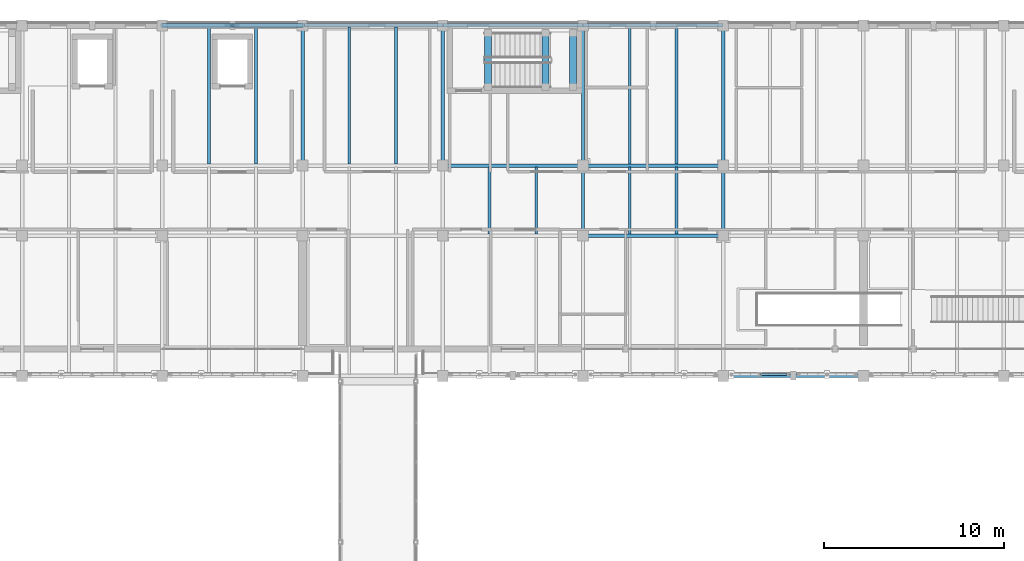
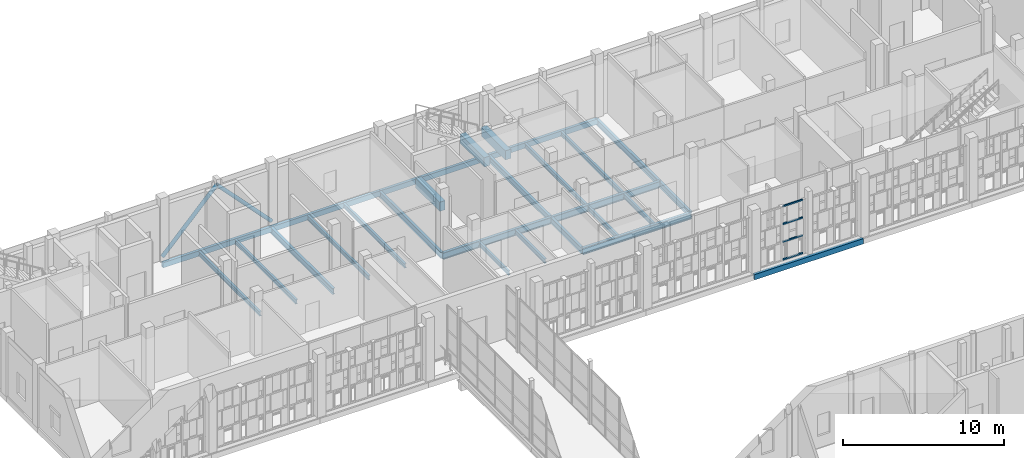
# One storey, part 57 of 138: 27 beams, 6 members.
"""IFC4 building model written with IfcOpenShell, lengths in metres."""

from ifc_helpers import new_model, si_unit, direction, frame, origin, origin_2d, place, context, subcontext, project, spatial, rectangle, hollow_rectangle, hollow_circle, i_section, extrude, material, material_profile, profile_set, type_object, element, save


model = new_model("IFC4")

# Units and contexts
model_context = context("Model", 3, precision=1e-05, world=origin(), true_north=direction((0.0, 1.0)))
body_context = subcontext(model_context, "Body", "Model", "MODEL_VIEW")
ifc_project = project(units=[si_unit("LENGTHUNIT", "METRE"), si_unit("AREAUNIT", "SQUARE_METRE"), si_unit("VOLUMEUNIT", "CUBIC_METRE"), si_unit("PLANEANGLEUNIT", "RADIAN"), si_unit("MASSUNIT", "GRAM", prefix="KILO")], contexts=[model_context])

# Site, building, storey
site_placement = place(None, origin())
site = spatial("IfcSite", under=ifc_project, at=site_placement, CompositionType="ELEMENT")
building_placement = place(site_placement, origin())
building = spatial("IfcBuilding", under=site, at=building_placement, Name="Celorna Specialist Clinic", CompositionType="ELEMENT")
storey_placement = place(building_placement, frame((0.0, 0.0, 4.800048828125)))
storey = spatial("IfcBuildingStorey", under=building, at=storey_placement, Name="L01", CompositionType="ELEMENT", Elevation=4.800048828125)

# Beams
ifc_material_1 = material(Name="Steel S355", Category="steel")
ifc_material_profile_1 = material_profile(ifc_material_1, i_section(OverallWidth=0.199951171875, OverallDepth=0.5, WebThickness=0.01025390625, FlangeThickness=0.01611328125, at=origin_2d()), Name="IPE 500")
ifc_profile_set_1 = profile_set([ifc_material_profile_1], Name="Steel S355")
beam_type_1 = type_object("IfcBeamType", Name="BM-08", PredefinedType="BEAM", material=ifc_profile_set_1)
for number, where, z_axis, x_axis, name in (
    (1, (85.800048828125, 104.300048828125, -0.510009765625), (1.0, 0.0, 0.0), (0.0, 1.0, 0.0), "Primary girder BM-08 #890"),
    (2, (78.0, 108.199951171875, -0.510009765625), (1.0, 0.0, 0.0), (0.0, 1.0, 0.0), "Primary girder BM-08 #905"),
    (3, (85.800048828125, 108.199951171875, -0.510009765625), (1.0, 0.0, 0.0), (0.0, 1.0, 0.0), "Primary girder BM-08 #906"),
):
    element("IfcBeam", number, at=place(storey_placement, frame(where, z_axis=z_axis, x_axis=x_axis)), inside=storey, type_object=beam_type_1, Name=name, PredefinedType="BEAM", context=body_context, shape_type="SweptSolid", body=[
        extrude(i_section(OverallWidth=0.199951171875, OverallDepth=0.5, WebThickness=0.01025390625, FlangeThickness=0.01611328125, at=origin_2d()), origin(), (0.0, 0.0, 1.0), 7.800048828125),
    ])
ifc_material_profile_2 = material_profile(ifc_material_1, i_section(OverallWidth=0.18994140625, OverallDepth=0.449951171875, WebThickness=0.009521484375, FlangeThickness=0.0146484375, at=origin_2d()), Name="IPE 450")
ifc_profile_set_2 = profile_set([ifc_material_profile_2], Name="Steel S355")
beam_type_2 = type_object("IfcBeamType", Name="BM-09", PredefinedType="BEAM", material=ifc_profile_set_2)
for number, where, z_axis, x_axis, name in (
    (4, (70.199951171875, 108.199951171875, -0.485107421875), (0.0, 1.0, 0.0), (-1.0, 0.0, 0.0), "Transverse girder BM-09 #944"),
    (5, (78.0, 108.199951171875, -0.485107421875), (0.0, 1.0, 0.0), (-1.0, 0.0, 0.0), "Transverse girder BM-09 #947"),
):
    element("IfcBeam", number, at=place(storey_placement, frame(where, z_axis=z_axis, x_axis=x_axis)), inside=storey, type_object=beam_type_2, Name=name, PredefinedType="BEAM", context=body_context, shape_type="SweptSolid", body=[
        extrude(i_section(OverallWidth=0.18994140625, OverallDepth=0.449951171875, WebThickness=0.009521484375, FlangeThickness=0.0146484375, at=origin_2d()), origin(), (0.0, 0.0, 1.0), 7.800048828125),
    ])
beam_1_placement = place(storey_placement, frame((85.800048828125, 104.300048828125, -0.485107421875), z_axis=(0.0, 1.0, 0.0), x_axis=(-1.0, 0.0, 0.0)))
element("IfcBeam", 6, at=beam_1_placement, inside=storey, type_object=beam_type_2, Name="Transverse girder BM-09 #949", PredefinedType="BEAM", context=body_context, shape_type="SweptSolid", body=[
    extrude(i_section(OverallWidth=0.18994140625, OverallDepth=0.449951171875, WebThickness=0.009521484375, FlangeThickness=0.0146484375, at=origin_2d()), origin(), (0.0, 0.0, 1.0), 3.89990234375),
])
beam_2_placement = place(storey_placement, frame((85.800048828125, 108.199951171875, -0.485107421875), z_axis=(0.0, 1.0, 0.0), x_axis=(-1.0, 0.0, 0.0)))
element("IfcBeam", 7, at=beam_2_placement, inside=storey, type_object=beam_type_2, Name="Transverse girder BM-09 #950", PredefinedType="BEAM", context=body_context, shape_type="SweptSolid", body=[
    extrude(i_section(OverallWidth=0.18994140625, OverallDepth=0.449951171875, WebThickness=0.009521484375, FlangeThickness=0.0146484375, at=origin_2d()), origin(), (0.0, 0.0, 1.0), 7.800048828125),
])
beam_3_placement = place(storey_placement, frame((93.60009765625, 104.300048828125, -0.485107421875), z_axis=(0.0, 1.0, 0.0), x_axis=(-1.0, 0.0, 0.0)))
element("IfcBeam", 8, at=beam_3_placement, inside=storey, type_object=beam_type_2, Name="Transverse girder BM-09 #952", PredefinedType="BEAM", context=body_context, shape_type="SweptSolid", body=[
    extrude(i_section(OverallWidth=0.18994140625, OverallDepth=0.449951171875, WebThickness=0.009521484375, FlangeThickness=0.0146484375, at=origin_2d()), origin(), (0.0, 0.0, 1.0), 3.89990234375),
])
beam_4_placement = place(storey_placement, frame((93.60009765625, 108.199951171875, -0.485107421875), z_axis=(0.0, 1.0, 0.0), x_axis=(-1.0, 0.0, 0.0)))
element("IfcBeam", 9, at=beam_4_placement, inside=storey, type_object=beam_type_2, Name="Transverse girder BM-09 #953", PredefinedType="BEAM", context=body_context, shape_type="SweptSolid", body=[
    extrude(i_section(OverallWidth=0.18994140625, OverallDepth=0.449951171875, WebThickness=0.009521484375, FlangeThickness=0.0146484375, at=origin_2d()), origin(), (0.0, 0.0, 1.0), 7.800048828125),
])
ifc_material_profile_3 = material_profile(ifc_material_1, i_section(OverallWidth=0.159912109375, OverallDepth=0.330078125, WebThickness=0.007568359375, FlangeThickness=0.011474609375, at=origin_2d()), Name="IPE 330")
ifc_profile_set_3 = profile_set([ifc_material_profile_3], Name="Steel S355")
beam_type_3 = type_object("IfcBeamType", Name="BM-12", PredefinedType="JOIST", material=ifc_profile_set_3)
for number, where, z_axis, x_axis, name in (
    (10, (65.0, 108.2880859375, -0.425048828125), (0.0, 1.0, 0.0), (-1.0, 0.0, 0.0), "Secondary floor joist BM-12 #997"),
    (11, (67.60009765625, 108.2880859375, -0.425048828125), (0.0, 1.0, 0.0), (-1.0, 0.0, 0.0), "Secondary floor joist BM-12 #998"),
    (12, (72.800048828125, 108.2880859375, -0.425048828125), (0.0, 1.0, 0.0), (-1.0, 0.0, 0.0), "Secondary floor joist BM-12 #1003"),
    (13, (75.39990234375, 108.2880859375, -0.425048828125), (0.0, 1.0, 0.0), (-1.0, 0.0, 0.0), "Secondary floor joist BM-12 #1004"),
):
    element("IfcBeam", number, at=place(storey_placement, frame(where, z_axis=z_axis, x_axis=x_axis)), inside=storey, type_object=beam_type_3, Name=name, PredefinedType="JOIST", context=body_context, shape_type="SweptSolid", body=[
        extrude(i_section(OverallWidth=0.159912109375, OverallDepth=0.330078125, WebThickness=0.007568359375, FlangeThickness=0.011474609375, at=origin_2d()), origin(), (0.0, 0.0, 1.0), 7.6240234375),
    ])
for number, where, z_axis, x_axis, name in (
    (14, (80.60009765625, 104.387939453125, -0.425048828125), (0.0, 1.0, 0.0), (-1.0, 0.0, 0.0), "Secondary floor joist BM-12 #1007"),
    (15, (83.199951171875, 104.387939453125, -0.425048828125), (0.0, 1.0, 0.0), (-1.0, 0.0, 0.0), "Secondary floor joist BM-12 #1008"),
    (16, (88.39990234375, 104.387939453125, -0.425048828125), (0.0, 1.0, 0.0), (-1.0, 0.0, 0.0), "Secondary floor joist BM-12 #1011"),
    (17, (91.0, 104.387939453125, -0.425048828125), (0.0, 1.0, 0.0), (-1.0, 0.0, 0.0), "Secondary floor joist BM-12 #1012"),
):
    element("IfcBeam", number, at=place(storey_placement, frame(where, z_axis=z_axis, x_axis=x_axis)), inside=storey, type_object=beam_type_3, Name=name, PredefinedType="JOIST", context=body_context, shape_type="SweptSolid", body=[
        extrude(i_section(OverallWidth=0.159912109375, OverallDepth=0.330078125, WebThickness=0.007568359375, FlangeThickness=0.011474609375, at=origin_2d()), origin(), (0.0, 0.0, 1.0), 3.72412109375),
    ])
for number, where, z_axis, x_axis, name in (
    (18, (88.39990234375, 108.2880859375, -0.425048828125), (0.0, 1.0, 0.0), (-1.0, 0.0, 0.0), "Secondary floor joist BM-12 #1013"),
    (19, (91.0, 108.2880859375, -0.425048828125), (0.0, 1.0, 0.0), (-1.0, 0.0, 0.0), "Secondary floor joist BM-12 #1014"),
):
    element("IfcBeam", number, at=place(storey_placement, frame(where, z_axis=z_axis, x_axis=x_axis)), inside=storey, type_object=beam_type_3, Name=name, PredefinedType="JOIST", context=body_context, shape_type="SweptSolid", body=[
        extrude(i_section(OverallWidth=0.159912109375, OverallDepth=0.330078125, WebThickness=0.007568359375, FlangeThickness=0.011474609375, at=origin_2d()), origin(), (0.0, 0.0, 1.0), 7.6240234375),
    ])
ifc_material_profile_4 = material_profile(ifc_material_1, hollow_rectangle(XDim=0.199951171875, YDim=0.39990234375, WallThickness=0.011962890625, at=origin_2d()), Name="RHS 200x400x12")
ifc_profile_set_4 = profile_set([ifc_material_profile_4], Name="Steel S355")
beam_type_4 = type_object("IfcBeamType", Name="BM-15", PredefinedType="SPANDREL", material=ifc_profile_set_4)
beam_5_placement = place(storey_placement, frame((93.60009765625, 96.5, -0.4599609375), z_axis=(1.0, 0.0, 0.0), x_axis=(0.0, 1.0, 0.0)))
element("IfcBeam", 20, at=beam_5_placement, inside=storey, type_object=beam_type_4, Name="Spandrel beam BM-15 #875", PredefinedType="SPANDREL", context=body_context, shape_type="SweptSolid", body=[
    extrude(hollow_rectangle(XDim=0.199951171875, YDim=0.39990234375, WallThickness=0.011962890625, at=origin_2d()), origin(), (0.0, 0.0, 1.0), 7.7998046875),
])
for number, where, z_axis, x_axis, name in (
    (21, (62.39990234375, 116.0, -0.4599609375), (1.0, 0.0, 0.0), (0.0, 1.0, 0.0), "Spandrel beam BM-15 #919"),
    (22, (70.199951171875, 116.0, -0.4599609375), (1.0, 0.0, 0.0), (0.0, 1.0, 0.0), "Spandrel beam BM-15 #920"),
    (23, (78.0, 116.0, -0.4599609375), (1.0, 0.0, 0.0), (0.0, 1.0, 0.0), "Spandrel beam BM-15 #921"),
    (24, (85.800048828125, 116.0, -0.4599609375), (1.0, 0.0, 0.0), (0.0, 1.0, 0.0), "Spandrel beam BM-15 #922"),
):
    element("IfcBeam", number, at=place(storey_placement, frame(where, z_axis=z_axis, x_axis=x_axis)), inside=storey, type_object=beam_type_4, Name=name, PredefinedType="SPANDREL", context=body_context, shape_type="SweptSolid", body=[
        extrude(hollow_rectangle(XDim=0.199951171875, YDim=0.39990234375, WallThickness=0.011962890625, at=origin_2d()), origin(), (0.0, 0.0, 1.0), 7.800048828125),
    ])
ifc_material_2 = material(Name="Concrete C35/45", Category="concrete")
ifc_material_profile_5 = material_profile(ifc_material_2, rectangle(XDim=0.39990234375, YDim=0.699951171875, at=origin_2d()), Name="RC 400x700")
ifc_profile_set_5 = profile_set([ifc_material_profile_5], Name="Concrete C35/45")
beam_type_5 = type_object("IfcBeamType", Name="BM-19", PredefinedType="BEAM", material=ifc_profile_set_5)
for number, where, z_axis, x_axis, name in (
    (25, (80.52001953125, 112.570068359375, -0.275146484375), (0.0, 1.0, 0.0), (-1.0, 0.0, 0.0), "Stair ST-02 floor landing trimmer beam L01"),
    (26, (83.719970703125, 112.570068359375, 1.974853515625), (0.0, 1.0, 0.0), (-1.0, 0.0, 0.0), "Stair ST-02 half-landing beam L01"),
    (27, (85.239990234375, 112.570068359375, 1.974853515625), (0.0, 1.0, 0.0), (-1.0, 0.0, 0.0), "Stair ST-02 half-landing beam L01"),
):
    element("IfcBeam", number, at=place(storey_placement, frame(where, z_axis=z_axis, x_axis=x_axis)), inside=storey, type_object=beam_type_5, Name=name, PredefinedType="BEAM", context=body_context, shape_type="SweptSolid", body=[
        extrude(rectangle(XDim=0.39990234375, YDim=0.699951171875, at=origin_2d()), origin(), (0.0, 0.0, 1.0), 3.0),
    ])

# Members
ifc_material_profile_6 = material_profile(ifc_material_1, hollow_circle(Radius=0.136474609375, WallThickness=0.012451171875, at=origin_2d()), Name="CHS 273x12.5")
ifc_profile_set_6 = profile_set([ifc_material_profile_6], Name="Steel S355")
member_type_1 = type_object("IfcMemberType", Name="MB-06", PredefinedType="BRACE", material=ifc_profile_set_6)
for number, where, z_axis, x_axis, name in (
    (28, (62.39990234375, 116.0, 0.14990234375), (0.689218737868, 0.0, 0.724553332317), (0.0, 1.0, 0.0), "Lateral chevron brace WP-116-WP-117"),
    (29, (70.199951171875, 116.0, 0.14990234375), (-0.689196087446, 0.0, 0.724574877462), (0.0, -1.0, 0.0), "Lateral chevron brace WP-118-WP-117"),
):
    element("IfcMember", number, at=place(storey_placement, frame(where, z_axis=z_axis, x_axis=x_axis)), inside=storey, type_object=member_type_1, Name=name, PredefinedType="BRACE", context=body_context, shape_type="SweptSolid", body=[
        extrude(hollow_circle(Radius=0.136474609375, WallThickness=0.012451171875, at=origin_2d()), origin(), (0.0, 0.0, 1.0), 5.65869140625),
    ])
ifc_material_profile_7 = material_profile(ifc_material_1, hollow_rectangle(XDim=0.10009765625, YDim=0.10009765625, WallThickness=0.006103515625, at=origin_2d()), Name="SHS 100x100x6")
ifc_profile_set_7 = profile_set([ifc_material_profile_7], Name="Steel S355")
member_type_2 = type_object("IfcMemberType", Name="MB-12", PredefinedType="STUD", material=ifc_profile_set_7)
for number, where, z_axis, x_axis, name in (
    (30, (95.68505859375, 96.580078125, 0.050048828125), (1.0, 0.0, 0.0), (0.0, 1.0, 0.0), "Perforated screen rail #821"),
    (31, (95.68505859375, 96.580078125, 1.396728515625), (1.0, 0.0, 0.0), (0.0, 1.0, 0.0), "Perforated screen rail #822"),
    (32, (95.68505859375, 96.580078125, 2.7431640625), (1.0, 0.0, 0.0), (0.0, 1.0, 0.0), "Perforated screen rail #823"),
    (33, (95.68505859375, 96.580078125, 4.08984375), (1.0, 0.0, 0.0), (0.0, 1.0, 0.0), "Perforated screen rail #824"),
):
    element("IfcMember", number, at=place(storey_placement, frame(where, z_axis=z_axis, x_axis=x_axis)), inside=storey, type_object=member_type_2, Name=name, PredefinedType="STUD", context=body_context, shape_type="SweptSolid", body=[
        extrude(hollow_rectangle(XDim=0.10009765625, YDim=0.10009765625, WallThickness=0.006103515625, at=origin_2d()), origin(), (0.0, 0.0, 1.0), 1.46484375),
    ])

save(model, "model.ifc")
